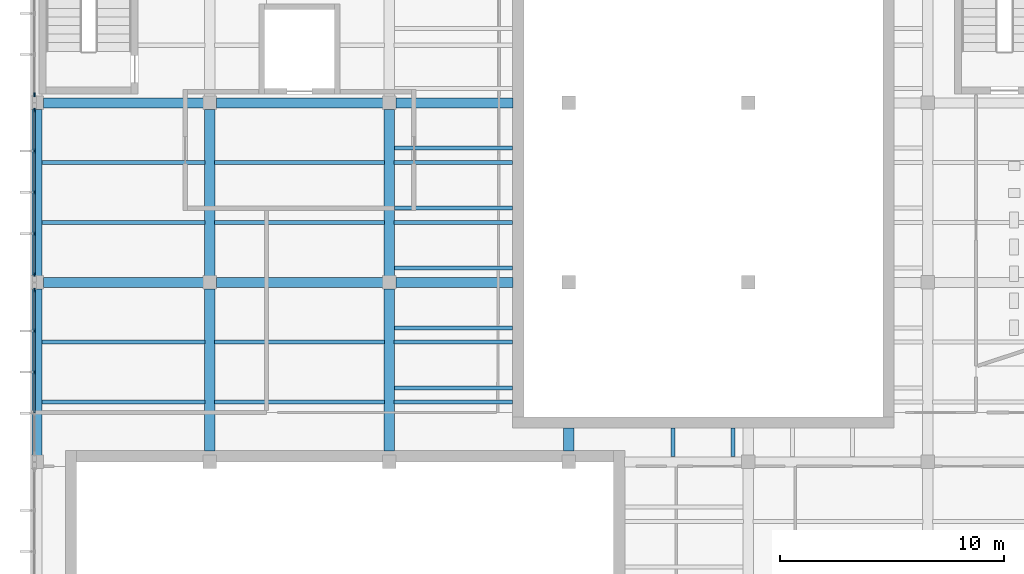
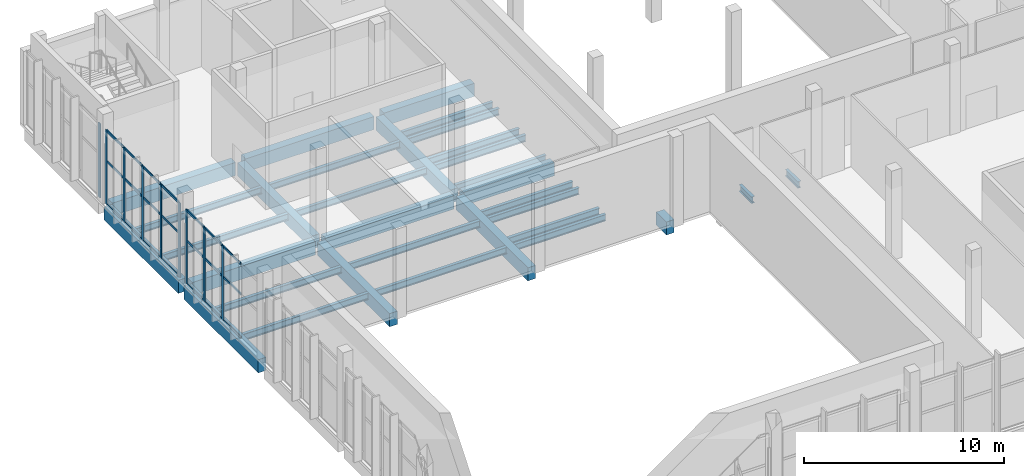
# One storey, part 13 of 87: 32 beams, 30 members, 3 elements without a shape of their own.
"""IFC4 building model written with IfcOpenShell, lengths in metres."""

from ifc_helpers import new_model, si_unit, direction, frame, origin, origin_2d, place, context, subcontext, project, spatial, rectangle, i_section, extrude, material, layer, layer_set, material_profile, profile_set, type_object, element, aggregate, save


model = new_model("IFC4")

# Units and contexts
model_context = context("Model", 3, precision=1e-05, world=origin(), true_north=direction((0.0, 1.0)))
body_context = subcontext(model_context, "Body", "Model", "MODEL_VIEW")
ifc_project = project(units=[si_unit("LENGTHUNIT", "METRE"), si_unit("AREAUNIT", "SQUARE_METRE"), si_unit("VOLUMEUNIT", "CUBIC_METRE"), si_unit("PLANEANGLEUNIT", "RADIAN"), si_unit("MASSUNIT", "GRAM", prefix="KILO")], contexts=[model_context])

# Site, building, storey
site_placement = place(None, origin())
site = spatial("IfcSite", under=ifc_project, at=site_placement, CompositionType="ELEMENT")
building_placement = place(site_placement, origin())
building = spatial("IfcBuilding", under=site, at=building_placement, Name="Lunette Opera House", CompositionType="ELEMENT")
storey_placement = place(building_placement, frame((0.0, 0.0, 11.5)))
storey = spatial("IfcBuildingStorey", under=building, at=storey_placement, Name="L02", CompositionType="ELEMENT", Elevation=11.5)

# Curtain wall, member
ifc_material_1 = material(Name="Aluminium", Category="aluminium")
ifc_layer = layer(ifc_material_1, 0.179931640625)
ifc_layer_set = layer_set([ifc_layer], Name="Aluminium")
curtain_wall_type = type_object("IfcCurtainWallType", Name="SUN FACE CURTAIN WALL", PredefinedType="NOTDEFINED", material=ifc_layer_set)
curtain_wall_1_placement = place(storey_placement, origin())
curtain_wall_1 = element("IfcCurtainWall", 1, at=curtain_wall_1_placement, inside=storey, type_object=curtain_wall_type, Name="Sun Face Curtain Wall F13 L02", PredefinedType="NOTDEFINED")
ifc_material_2 = material(Name="Aluminium", Category="aluminium")
ifc_material_profile_1 = material_profile(ifc_material_2, rectangle(XDim=0.06005859375, YDim=0.179931640625, at=origin_2d()), Name="MULLION 60 X 180")
ifc_profile_set_1 = profile_set([ifc_material_profile_1], Name="Aluminium")
member_type_1 = type_object("IfcMemberType", Name="MULLION 60 X 180", PredefinedType="MULLION", material=ifc_profile_set_1)
member_1_placement = place(storey_placement, frame((8.181884765625, 104.360107421875, 0.0), z_axis=(0.0, 0.0, 1.0), x_axis=(1.0, 0.0, 0.0)))
member_1 = element("IfcMember", 2, at=member_1_placement, type_object=member_type_1, Name="RW-X2029 mullion 5", PredefinedType="MULLION", context=body_context, shape_type="SweptSolid", body=[
    extrude(rectangle(XDim=0.06005859375, YDim=0.179931640625, at=origin_2d()), origin(), (0.0, 0.0, 1.0), 4.550048828125),
])
aggregate(curtain_wall_1, [member_1])

# Curtain wall, members
curtain_wall_2_placement = place(storey_placement, origin())
curtain_wall_2 = element("IfcCurtainWall", 3, at=curtain_wall_2_placement, inside=storey, type_object=curtain_wall_type, Name="Sun Face Curtain Wall F14 L02", PredefinedType="NOTDEFINED")
member_2_placement = place(storey_placement, frame((8.181884765625, 103.666015625, 0.0), z_axis=(0.0, 0.0, 1.0), x_axis=(1.0, 0.0, 0.0)))
member_2 = element("IfcMember", 4, at=member_2_placement, type_object=member_type_1, Name="RW-X2030 mullion 1", PredefinedType="MULLION", context=body_context, shape_type="SweptSolid", body=[
    extrude(rectangle(XDim=0.06005859375, YDim=0.179931640625, at=origin_2d()), origin(), (0.0, 0.0, 1.0), 4.550048828125),
])
member_3_placement = place(storey_placement, frame((8.181884765625, 101.8544921875, 0.0), z_axis=(0.0, 0.0, 1.0), x_axis=(1.0, 0.0, 0.0)))
member_3 = element("IfcMember", 5, at=member_3_placement, type_object=member_type_1, Name="RW-X2030 mullion 2", PredefinedType="MULLION", context=body_context, shape_type="SweptSolid", body=[
    extrude(rectangle(XDim=0.06005859375, YDim=0.179931640625, at=origin_2d()), origin(), (0.0, 0.0, 1.0), 4.550048828125),
])
member_4_placement = place(storey_placement, frame((8.181884765625, 100.012939453125, 0.0), z_axis=(0.0, 0.0, 1.0), x_axis=(1.0, 0.0, 0.0)))
member_4 = element("IfcMember", 6, at=member_4_placement, type_object=member_type_1, Name="RW-X2030 mullion 3", PredefinedType="MULLION", context=body_context, shape_type="SweptSolid", body=[
    extrude(rectangle(XDim=0.06005859375, YDim=0.179931640625, at=origin_2d()), origin(), (0.0, 0.0, 1.0), 4.550048828125),
])
member_5_placement = place(storey_placement, frame((8.181884765625, 98.17138671875, 0.0), z_axis=(0.0, 0.0, 1.0), x_axis=(1.0, 0.0, 0.0)))
member_5 = element("IfcMember", 7, at=member_5_placement, type_object=member_type_1, Name="RW-X2030 mullion 4", PredefinedType="MULLION", context=body_context, shape_type="SweptSolid", body=[
    extrude(rectangle(XDim=0.06005859375, YDim=0.179931640625, at=origin_2d()), origin(), (0.0, 0.0, 1.0), 4.550048828125),
])
member_6_placement = place(storey_placement, frame((8.181884765625, 96.360107421875, 0.0), z_axis=(0.0, 0.0, 1.0), x_axis=(1.0, 0.0, 0.0)))
member_6 = element("IfcMember", 8, at=member_6_placement, type_object=member_type_1, Name="RW-X2030 mullion 5", PredefinedType="MULLION", context=body_context, shape_type="SweptSolid", body=[
    extrude(rectangle(XDim=0.06005859375, YDim=0.179931640625, at=origin_2d()), origin(), (0.0, 0.0, 1.0), 4.550048828125),
])

curtain_wall_3_placement = place(storey_placement, origin())
curtain_wall_3 = element("IfcCurtainWall", 9, at=curtain_wall_3_placement, inside=storey, type_object=curtain_wall_type, Name="Sun Face Curtain Wall F15 L02", PredefinedType="NOTDEFINED")
member_7_placement = place(storey_placement, frame((8.181884765625, 95.639892578125, 0.0), z_axis=(0.0, 0.0, 1.0), x_axis=(1.0, 0.0, 0.0)))
member_7 = element("IfcMember", 10, at=member_7_placement, type_object=member_type_1, Name="RW-X2031 mullion 1", PredefinedType="MULLION", context=body_context, shape_type="SweptSolid", body=[
    extrude(rectangle(XDim=0.06005859375, YDim=0.179931640625, at=origin_2d()), origin(), (0.0, 0.0, 1.0), 4.550048828125),
])
member_8_placement = place(storey_placement, frame((8.181884765625, 93.8349609375, 0.0), z_axis=(0.0, 0.0, 1.0), x_axis=(1.0, 0.0, 0.0)))
member_8 = element("IfcMember", 11, at=member_8_placement, type_object=member_type_1, Name="RW-X2031 mullion 2", PredefinedType="MULLION", context=body_context, shape_type="SweptSolid", body=[
    extrude(rectangle(XDim=0.06005859375, YDim=0.179931640625, at=origin_2d()), origin(), (0.0, 0.0, 1.0), 4.550048828125),
])
member_9_placement = place(storey_placement, frame((8.181884765625, 92.0, 0.0), z_axis=(0.0, 0.0, 1.0), x_axis=(1.0, 0.0, 0.0)))
member_9 = element("IfcMember", 12, at=member_9_placement, type_object=member_type_1, Name="RW-X2031 mullion 3", PredefinedType="MULLION", context=body_context, shape_type="SweptSolid", body=[
    extrude(rectangle(XDim=0.06005859375, YDim=0.179931640625, at=origin_2d()), origin(), (0.0, 0.0, 1.0), 4.550048828125),
])

# Beams
ifc_material_3 = material(Name="Concrete C35/45", Category="concrete")
ifc_material_profile_2 = material_profile(ifc_material_3, rectangle(XDim=0.449951171875, YDim=0.800048828125, at=origin_2d()), Name="RC BEAM 450X800")
ifc_profile_set_2 = profile_set([ifc_material_profile_2], Name="Concrete C35/45")
beam_type_1 = type_object("IfcBeamType", Name="RC BEAM 450X800", PredefinedType="BEAM", material=ifc_profile_set_2)
for number, where, z_axis, x_axis, name in (
    (13, (8.300048828125, 88.2900390625, -0.550048828125), (0.0, 1.0, 0.0), (-1.0, 0.0, 0.0), "beam-RW-L02-L02-GY03"),
    (14, (8.300048828125, 96.2900390625, -0.550048828125), (0.0, 1.0, 0.0), (-1.0, 0.0, 0.0), "beam-RW-L02-L02-GY04"),
):
    element("IfcBeam", number, at=place(storey_placement, frame(where, z_axis=z_axis, x_axis=x_axis)), inside=storey, type_object=beam_type_1, Name=name, PredefinedType="BEAM", context=body_context, shape_type="SweptSolid", body=[
        extrude(rectangle(XDim=0.449951171875, YDim=0.800048828125, at=origin_2d()), origin(), (0.0, 0.0, 1.0), 7.419921875),
    ])
beam_1_placement = place(storey_placement, frame((16.0, 88.489990234375, -0.550048828125), z_axis=(0.0, 1.0, 0.0), x_axis=(-1.0, 0.0, 0.0)))
element("IfcBeam", 15, at=beam_1_placement, inside=storey, type_object=beam_type_1, Name="beam-RW-L02-L02-GY13", PredefinedType="BEAM", context=body_context, shape_type="SweptSolid", body=[
    extrude(rectangle(XDim=0.449951171875, YDim=0.800048828125, at=origin_2d()), origin(), (0.0, 0.0, 1.0), 7.219970703125),
])
beam_2_placement = place(storey_placement, frame((16.0, 96.2900390625, -0.550048828125), z_axis=(0.0, 1.0, 0.0), x_axis=(-1.0, 0.0, 0.0)))
element("IfcBeam", 16, at=beam_2_placement, inside=storey, type_object=beam_type_1, Name="beam-RW-L02-L02-GY14", PredefinedType="BEAM", context=body_context, shape_type="SweptSolid", body=[
    extrude(rectangle(XDim=0.449951171875, YDim=0.800048828125, at=origin_2d()), origin(), (0.0, 0.0, 1.0), 7.419921875),
])
beam_3_placement = place(storey_placement, frame((24.0, 88.489990234375, -0.550048828125), z_axis=(0.0, 1.0, 0.0), x_axis=(-1.0, 0.0, 0.0)))
element("IfcBeam", 17, at=beam_3_placement, inside=storey, type_object=beam_type_1, Name="beam-RW-L02-L02-GY23", PredefinedType="BEAM", context=body_context, shape_type="SweptSolid", body=[
    extrude(rectangle(XDim=0.449951171875, YDim=0.800048828125, at=origin_2d()), origin(), (0.0, 0.0, 1.0), 7.219970703125),
])
beam_4_placement = place(storey_placement, frame((24.0, 96.2900390625, -0.550048828125), z_axis=(0.0, 1.0, 0.0), x_axis=(-1.0, 0.0, 0.0)))
element("IfcBeam", 18, at=beam_4_placement, inside=storey, type_object=beam_type_1, Name="beam-RW-L02-L02-GY24", PredefinedType="BEAM", context=body_context, shape_type="SweptSolid", body=[
    extrude(rectangle(XDim=0.449951171875, YDim=0.800048828125, at=origin_2d()), origin(), (0.0, 0.0, 1.0), 7.419921875),
])
beam_5_placement = place(storey_placement, frame((32.0, 88.489990234375, -0.550048828125), z_axis=(0.0, 1.0, 0.0), x_axis=(-1.0, 0.0, 0.0)))
element("IfcBeam", 19, at=beam_5_placement, inside=storey, type_object=beam_type_1, Name="beam-RW-L02-L02-GY33", PredefinedType="BEAM", context=body_context, shape_type="SweptSolid", body=[
    extrude(rectangle(XDim=0.449951171875, YDim=0.800048828125, at=origin_2d()), origin(), (0.0, 0.0, 1.0), 1.02001953125),
])
beam_6_placement = place(storey_placement, frame((8.590087890625, 96.0, -0.550048828125), z_axis=(1.0, 0.0, 0.0), x_axis=(0.0, 1.0, 0.0)))
element("IfcBeam", 20, at=beam_6_placement, inside=storey, type_object=beam_type_1, Name="beam-RW-L02-L02-GX04", PredefinedType="BEAM", context=body_context, shape_type="SweptSolid", body=[
    extrude(rectangle(XDim=0.449951171875, YDim=0.800048828125, at=origin_2d()), origin(), (0.0, 0.0, 1.0), 7.119873046875),
])
beam_7_placement = place(storey_placement, frame((16.2900390625, 96.0, -0.550048828125), z_axis=(1.0, 0.0, 0.0), x_axis=(0.0, 1.0, 0.0)))
element("IfcBeam", 21, at=beam_7_placement, inside=storey, type_object=beam_type_1, Name="beam-RW-L02-L02-GX14", PredefinedType="BEAM", context=body_context, shape_type="SweptSolid", body=[
    extrude(rectangle(XDim=0.449951171875, YDim=0.800048828125, at=origin_2d()), origin(), (0.0, 0.0, 1.0), 7.419921875),
])
beam_8_placement = place(storey_placement, frame((24.2900390625, 96.0, -0.550048828125), z_axis=(1.0, 0.0, 0.0), x_axis=(0.0, 1.0, 0.0)))
element("IfcBeam", 22, at=beam_8_placement, inside=storey, type_object=beam_type_1, Name="beam-RW-L02-L02-GX24", PredefinedType="BEAM", context=body_context, shape_type="SweptSolid", body=[
    extrude(rectangle(XDim=0.449951171875, YDim=0.800048828125, at=origin_2d()), origin(), (0.0, 0.0, 1.0), 5.219970703125),
])
beam_9_placement = place(storey_placement, frame((8.590087890625, 104.0, -0.550048828125), z_axis=(1.0, 0.0, 0.0), x_axis=(0.0, 1.0, 0.0)))
element("IfcBeam", 23, at=beam_9_placement, inside=storey, type_object=beam_type_1, Name="beam-RW-L02-L02-GX05", PredefinedType="BEAM", context=body_context, shape_type="SweptSolid", body=[
    extrude(rectangle(XDim=0.449951171875, YDim=0.800048828125, at=origin_2d()), origin(), (0.0, 0.0, 1.0), 7.119873046875),
])
beam_10_placement = place(storey_placement, frame((16.2900390625, 104.0, -0.550048828125), z_axis=(1.0, 0.0, 0.0), x_axis=(0.0, 1.0, 0.0)))
element("IfcBeam", 24, at=beam_10_placement, inside=storey, type_object=beam_type_1, Name="beam-RW-L02-L02-GX15", PredefinedType="BEAM", context=body_context, shape_type="SweptSolid", body=[
    extrude(rectangle(XDim=0.449951171875, YDim=0.800048828125, at=origin_2d()), origin(), (0.0, 0.0, 1.0), 7.419921875),
])
beam_11_placement = place(storey_placement, frame((24.2900390625, 104.0, -0.550048828125), z_axis=(1.0, 0.0, 0.0), x_axis=(0.0, 1.0, 0.0)))
element("IfcBeam", 25, at=beam_11_placement, inside=storey, type_object=beam_type_1, Name="beam-RW-L02-L02-GX25", PredefinedType="BEAM", context=body_context, shape_type="SweptSolid", body=[
    extrude(rectangle(XDim=0.449951171875, YDim=0.800048828125, at=origin_2d()), origin(), (0.0, 0.0, 1.0), 5.219970703125),
])
ifc_material_4 = material(Name="Steel S355", Category="steel")
ifc_material_profile_3 = material_profile(ifc_material_4, i_section(OverallWidth=0.179931640625, OverallDepth=0.39990234375, WebThickness=0.008544921875, FlangeThickness=0.013427734375, FilletRadius=0.02099609375, at=origin_2d()), Name="IPE 400")
ifc_profile_set_3 = profile_set([ifc_material_profile_3], Name="Steel S355")
beam_type_2 = type_object("IfcBeamType", Name="STEEL BEAM IPE 400", PredefinedType="BEAM", material=ifc_profile_set_3)
for number, where, z_axis, x_axis, name in (
    (26, (8.514892578125, 90.6669921875, -0.35009765625), (1.0, 0.0, 0.0), (0.0, 1.0, 0.0), "beam-RW-L02-L02-SX031"),
    (27, (8.514892578125, 93.3330078125, -0.35009765625), (1.0, 0.0, 0.0), (0.0, 1.0, 0.0), "beam-RW-L02-L02-SX032"),
    (28, (8.514892578125, 98.6669921875, -0.35009765625), (1.0, 0.0, 0.0), (0.0, 1.0, 0.0), "beam-RW-L02-L02-SX041"),
    (29, (8.514892578125, 101.3330078125, -0.35009765625), (1.0, 0.0, 0.0), (0.0, 1.0, 0.0), "beam-RW-L02-L02-SX042"),
):
    element("IfcBeam", number, at=place(storey_placement, frame(where, z_axis=z_axis, x_axis=x_axis)), inside=storey, type_object=beam_type_2, Name=name, PredefinedType="BEAM", context=body_context, shape_type="SweptSolid", body=[
        extrude(i_section(OverallWidth=0.179931640625, OverallDepth=0.39990234375, WebThickness=0.008544921875, FlangeThickness=0.013427734375, FilletRadius=0.02099609375, at=origin_2d()), origin(), (0.0, 0.0, 1.0), 7.27001953125),
    ])
for number, where, z_axis, x_axis, name in (
    (30, (16.215087890625, 90.6669921875, -0.35009765625), (1.0, 0.0, 0.0), (0.0, 1.0, 0.0), "beam-RW-L02-L02-SX131"),
    (31, (16.215087890625, 93.3330078125, -0.35009765625), (1.0, 0.0, 0.0), (0.0, 1.0, 0.0), "beam-RW-L02-L02-SX132"),
    (32, (16.215087890625, 98.6669921875, -0.35009765625), (1.0, 0.0, 0.0), (0.0, 1.0, 0.0), "beam-RW-L02-L02-SX141"),
    (33, (16.215087890625, 101.3330078125, -0.35009765625), (1.0, 0.0, 0.0), (0.0, 1.0, 0.0), "beam-RW-L02-L02-SX142"),
):
    element("IfcBeam", number, at=place(storey_placement, frame(where, z_axis=z_axis, x_axis=x_axis)), inside=storey, type_object=beam_type_2, Name=name, PredefinedType="BEAM", context=body_context, shape_type="SweptSolid", body=[
        extrude(i_section(OverallWidth=0.179931640625, OverallDepth=0.39990234375, WebThickness=0.008544921875, FlangeThickness=0.013427734375, FilletRadius=0.02099609375, at=origin_2d()), origin(), (0.0, 0.0, 1.0), 7.56982421875),
    ])
for number, where, z_axis, x_axis, name in (
    (34, (24.215087890625, 90.6669921875, -0.35009765625), (1.0, 0.0, 0.0), (0.0, 1.0, 0.0), "beam-RW-L02-L02-SX231"),
    (35, (24.215087890625, 93.3330078125, -0.35009765625), (1.0, 0.0, 0.0), (0.0, 1.0, 0.0), "beam-RW-L02-L02-SX232"),
    (36, (24.215087890625, 98.6669921875, -0.35009765625), (1.0, 0.0, 0.0), (0.0, 1.0, 0.0), "beam-RW-L02-L02-SX241"),
    (37, (24.215087890625, 101.3330078125, -0.35009765625), (1.0, 0.0, 0.0), (0.0, 1.0, 0.0), "beam-RW-L02-L02-SX242"),
):
    element("IfcBeam", number, at=place(storey_placement, frame(where, z_axis=z_axis, x_axis=x_axis)), inside=storey, type_object=beam_type_2, Name=name, PredefinedType="BEAM", context=body_context, shape_type="SweptSolid", body=[
        extrude(i_section(OverallWidth=0.179931640625, OverallDepth=0.39990234375, WebThickness=0.008544921875, FlangeThickness=0.013427734375, FilletRadius=0.02099609375, at=origin_2d()), origin(), (0.0, 0.0, 1.0), 5.284912109375),
    ])
for number, where, z_axis, x_axis, name in (
    (38, (36.639892578125, 89.5, -0.35009765625), (0.0, -1.0, 0.0), (1.0, 0.0, 0.0), "beam-RW-L02-L02-RJS30902"),
    (39, (39.31005859375, 89.5, -0.35009765625), (0.0, -1.0, 0.0), (1.0, 0.0, 0.0), "beam-RW-L02-L02-RJS30903"),
):
    element("IfcBeam", number, at=place(storey_placement, frame(where, z_axis=z_axis, x_axis=x_axis)), inside=storey, type_object=beam_type_2, Name=name, PredefinedType="BEAM", context=body_context, shape_type="SweptSolid", body=[
        extrude(i_section(OverallWidth=0.179931640625, OverallDepth=0.39990234375, WebThickness=0.008544921875, FlangeThickness=0.013427734375, FilletRadius=0.02099609375, at=origin_2d()), origin(), (0.0, 0.0, 1.0), 1.264892578125),
    ])
for number, where, z_axis, x_axis, name in (
    (40, (29.5, 91.300048828125, -0.35009765625), (-1.0, 0.0, 0.0), (0.0, -1.0, 0.0), "beam-RW-L02-L02-RJW30900"),
    (41, (29.5, 93.969970703125, -0.35009765625), (-1.0, 0.0, 0.0), (0.0, -1.0, 0.0), "beam-RW-L02-L02-RJW30901"),
    (42, (29.5, 96.639892578125, -0.35009765625), (-1.0, 0.0, 0.0), (0.0, -1.0, 0.0), "beam-RW-L02-L02-RJW30902"),
    (43, (29.5, 99.31005859375, -0.35009765625), (-1.0, 0.0, 0.0), (0.0, -1.0, 0.0), "beam-RW-L02-L02-RJW30903"),
    (44, (29.5, 101.97998046875, -0.35009765625), (-1.0, 0.0, 0.0), (0.0, -1.0, 0.0), "beam-RW-L02-L02-RJW30904"),
):
    element("IfcBeam", number, at=place(storey_placement, frame(where, z_axis=z_axis, x_axis=x_axis)), inside=storey, type_object=beam_type_2, Name=name, PredefinedType="BEAM", context=body_context, shape_type="SweptSolid", body=[
        extrude(i_section(OverallWidth=0.179931640625, OverallDepth=0.39990234375, WebThickness=0.008544921875, FlangeThickness=0.013427734375, FilletRadius=0.02099609375, at=origin_2d()), origin(), (0.0, 0.0, 1.0), 5.264892578125),
    ])

# Member
ifc_material_5 = material(Name="Aluminium", Category="aluminium")
ifc_material_profile_4 = material_profile(ifc_material_5, rectangle(XDim=0.06005859375, YDim=0.139892578125, at=origin_2d()), Name="TRANSOM 60 X 140")
ifc_profile_set_4 = profile_set([ifc_material_profile_4], Name="Aluminium")
member_type_2 = type_object("IfcMemberType", Name="TRANSOM 60 X 140", PredefinedType="USERDEFINED", material=ifc_profile_set_4)
member_10_placement = place(storey_placement, frame((8.181884765625, 103.635986328125, 0.030029296875), z_axis=(0.0, -1.0, 0.0), x_axis=(1.0, 0.0, 0.0)))
member_10 = element("IfcMember", 45, at=member_10_placement, type_object=member_type_2, Name="RW-X2030 transom 1.1", ObjectType="TRANSOM", PredefinedType="USERDEFINED", context=body_context, shape_type="SweptSolid", body=[
    extrude(rectangle(XDim=0.06005859375, YDim=0.139892578125, at=origin_2d()), origin(), (0.0, 0.0, 1.0), 1.75146484375),
])

member_11_placement = place(storey_placement, frame((8.181884765625, 103.635986328125, 2.675048828125), z_axis=(0.0, -1.0, 0.0), x_axis=(1.0, 0.0, 0.0)))
member_11 = element("IfcMember", 46, at=member_11_placement, type_object=member_type_2, Name="RW-X2030 transom 1.2", ObjectType="TRANSOM", PredefinedType="USERDEFINED", context=body_context, shape_type="SweptSolid", body=[
    extrude(rectangle(XDim=0.06005859375, YDim=0.139892578125, at=origin_2d()), origin(), (0.0, 0.0, 1.0), 1.75146484375),
])

member_12_placement = place(storey_placement, frame((8.181884765625, 103.635986328125, 4.52001953125), z_axis=(0.0, -1.0, 0.0), x_axis=(1.0, 0.0, 0.0)))
member_12 = element("IfcMember", 47, at=member_12_placement, type_object=member_type_2, Name="RW-X2030 transom 1.3", ObjectType="TRANSOM", PredefinedType="USERDEFINED", context=body_context, shape_type="SweptSolid", body=[
    extrude(rectangle(XDim=0.06005859375, YDim=0.139892578125, at=origin_2d()), origin(), (0.0, 0.0, 1.0), 1.75146484375),
])

member_13_placement = place(storey_placement, frame((8.181884765625, 101.824462890625, 0.030029296875), z_axis=(0.0, -1.0, 0.0), x_axis=(1.0, 0.0, 0.0)))
member_13 = element("IfcMember", 48, at=member_13_placement, type_object=member_type_2, Name="RW-X2030 transom 2.1", ObjectType="TRANSOM", PredefinedType="USERDEFINED", context=body_context, shape_type="SweptSolid", body=[
    extrude(rectangle(XDim=0.06005859375, YDim=0.139892578125, at=origin_2d()), origin(), (0.0, 0.0, 1.0), 1.781494140625),
])

member_14_placement = place(storey_placement, frame((8.181884765625, 101.824462890625, 2.675048828125), z_axis=(0.0, -1.0, 0.0), x_axis=(1.0, 0.0, 0.0)))
member_14 = element("IfcMember", 49, at=member_14_placement, type_object=member_type_2, Name="RW-X2030 transom 2.2", ObjectType="TRANSOM", PredefinedType="USERDEFINED", context=body_context, shape_type="SweptSolid", body=[
    extrude(rectangle(XDim=0.06005859375, YDim=0.139892578125, at=origin_2d()), origin(), (0.0, 0.0, 1.0), 1.781494140625),
])

member_15_placement = place(storey_placement, frame((8.181884765625, 101.824462890625, 4.52001953125), z_axis=(0.0, -1.0, 0.0), x_axis=(1.0, 0.0, 0.0)))
member_15 = element("IfcMember", 50, at=member_15_placement, type_object=member_type_2, Name="RW-X2030 transom 2.3", ObjectType="TRANSOM", PredefinedType="USERDEFINED", context=body_context, shape_type="SweptSolid", body=[
    extrude(rectangle(XDim=0.06005859375, YDim=0.139892578125, at=origin_2d()), origin(), (0.0, 0.0, 1.0), 1.781494140625),
])

member_16_placement = place(storey_placement, frame((8.181884765625, 99.98291015625, 0.030029296875), z_axis=(0.0, -1.0, 0.0), x_axis=(1.0, 0.0, 0.0)))
member_16 = element("IfcMember", 51, at=member_16_placement, type_object=member_type_2, Name="RW-X2030 transom 3.1", ObjectType="TRANSOM", PredefinedType="USERDEFINED", context=body_context, shape_type="SweptSolid", body=[
    extrude(rectangle(XDim=0.06005859375, YDim=0.139892578125, at=origin_2d()), origin(), (0.0, 0.0, 1.0), 1.781494140625),
])

member_17_placement = place(storey_placement, frame((8.181884765625, 99.98291015625, 2.675048828125), z_axis=(0.0, -1.0, 0.0), x_axis=(1.0, 0.0, 0.0)))
member_17 = element("IfcMember", 52, at=member_17_placement, type_object=member_type_2, Name="RW-X2030 transom 3.2", ObjectType="TRANSOM", PredefinedType="USERDEFINED", context=body_context, shape_type="SweptSolid", body=[
    extrude(rectangle(XDim=0.06005859375, YDim=0.139892578125, at=origin_2d()), origin(), (0.0, 0.0, 1.0), 1.781494140625),
])

member_18_placement = place(storey_placement, frame((8.181884765625, 99.98291015625, 4.52001953125), z_axis=(0.0, -1.0, 0.0), x_axis=(1.0, 0.0, 0.0)))
member_18 = element("IfcMember", 53, at=member_18_placement, type_object=member_type_2, Name="RW-X2030 transom 3.3", ObjectType="TRANSOM", PredefinedType="USERDEFINED", context=body_context, shape_type="SweptSolid", body=[
    extrude(rectangle(XDim=0.06005859375, YDim=0.139892578125, at=origin_2d()), origin(), (0.0, 0.0, 1.0), 1.781494140625),
])

member_19_placement = place(storey_placement, frame((8.181884765625, 98.1416015625, 0.030029296875), z_axis=(0.0, -1.0, 0.0), x_axis=(1.0, 0.0, 0.0)))
member_19 = element("IfcMember", 54, at=member_19_placement, type_object=member_type_2, Name="RW-X2030 transom 4.1", ObjectType="TRANSOM", PredefinedType="USERDEFINED", context=body_context, shape_type="SweptSolid", body=[
    extrude(rectangle(XDim=0.06005859375, YDim=0.139892578125, at=origin_2d()), origin(), (0.0, 0.0, 1.0), 1.751708984375),
])

member_20_placement = place(storey_placement, frame((8.181884765625, 98.1416015625, 2.675048828125), z_axis=(0.0, -1.0, 0.0), x_axis=(1.0, 0.0, 0.0)))
member_20 = element("IfcMember", 55, at=member_20_placement, type_object=member_type_2, Name="RW-X2030 transom 4.2", ObjectType="TRANSOM", PredefinedType="USERDEFINED", context=body_context, shape_type="SweptSolid", body=[
    extrude(rectangle(XDim=0.06005859375, YDim=0.139892578125, at=origin_2d()), origin(), (0.0, 0.0, 1.0), 1.751708984375),
])

member_21_placement = place(storey_placement, frame((8.181884765625, 98.1416015625, 4.52001953125), z_axis=(0.0, -1.0, 0.0), x_axis=(1.0, 0.0, 0.0)))
member_21 = element("IfcMember", 56, at=member_21_placement, type_object=member_type_2, Name="RW-X2030 transom 4.3", ObjectType="TRANSOM", PredefinedType="USERDEFINED", context=body_context, shape_type="SweptSolid", body=[
    extrude(rectangle(XDim=0.06005859375, YDim=0.139892578125, at=origin_2d()), origin(), (0.0, 0.0, 1.0), 1.751708984375),
])

aggregate(curtain_wall_2, [member_2, member_3, member_4, member_5, member_6, member_10, member_11, member_12, member_13, member_14, member_15, member_16, member_17, member_18, member_19, member_20, member_21])

member_22_placement = place(storey_placement, frame((8.181884765625, 95.610107421875, 0.030029296875), z_axis=(0.0, -1.0, 0.0), x_axis=(1.0, 0.0, 0.0)))
member_22 = element("IfcMember", 57, at=member_22_placement, type_object=member_type_2, Name="RW-X2031 transom 1.1", ObjectType="TRANSOM", PredefinedType="USERDEFINED", context=body_context, shape_type="SweptSolid", body=[
    extrude(rectangle(XDim=0.06005859375, YDim=0.139892578125, at=origin_2d()), origin(), (0.0, 0.0, 1.0), 1.7451171875),
])

member_23_placement = place(storey_placement, frame((8.181884765625, 95.610107421875, 2.675048828125), z_axis=(0.0, -1.0, 0.0), x_axis=(1.0, 0.0, 0.0)))
member_23 = element("IfcMember", 58, at=member_23_placement, type_object=member_type_2, Name="RW-X2031 transom 1.2", ObjectType="TRANSOM", PredefinedType="USERDEFINED", context=body_context, shape_type="SweptSolid", body=[
    extrude(rectangle(XDim=0.06005859375, YDim=0.139892578125, at=origin_2d()), origin(), (0.0, 0.0, 1.0), 1.7451171875),
])

member_24_placement = place(storey_placement, frame((8.181884765625, 95.610107421875, 4.52001953125), z_axis=(0.0, -1.0, 0.0), x_axis=(1.0, 0.0, 0.0)))
member_24 = element("IfcMember", 59, at=member_24_placement, type_object=member_type_2, Name="RW-X2031 transom 1.3", ObjectType="TRANSOM", PredefinedType="USERDEFINED", context=body_context, shape_type="SweptSolid", body=[
    extrude(rectangle(XDim=0.06005859375, YDim=0.139892578125, at=origin_2d()), origin(), (0.0, 0.0, 1.0), 1.7451171875),
])

member_25_placement = place(storey_placement, frame((8.181884765625, 93.804931640625, 0.030029296875), z_axis=(0.0, -1.0, 0.0), x_axis=(1.0, 0.0, 0.0)))
member_25 = element("IfcMember", 60, at=member_25_placement, type_object=member_type_2, Name="RW-X2031 transom 2.1", ObjectType="TRANSOM", PredefinedType="USERDEFINED", context=body_context, shape_type="SweptSolid", body=[
    extrude(rectangle(XDim=0.06005859375, YDim=0.139892578125, at=origin_2d()), origin(), (0.0, 0.0, 1.0), 1.77490234375),
])

member_26_placement = place(storey_placement, frame((8.181884765625, 93.804931640625, 2.675048828125), z_axis=(0.0, -1.0, 0.0), x_axis=(1.0, 0.0, 0.0)))
member_26 = element("IfcMember", 61, at=member_26_placement, type_object=member_type_2, Name="RW-X2031 transom 2.2", ObjectType="TRANSOM", PredefinedType="USERDEFINED", context=body_context, shape_type="SweptSolid", body=[
    extrude(rectangle(XDim=0.06005859375, YDim=0.139892578125, at=origin_2d()), origin(), (0.0, 0.0, 1.0), 1.77490234375),
])

member_27_placement = place(storey_placement, frame((8.181884765625, 93.804931640625, 4.52001953125), z_axis=(0.0, -1.0, 0.0), x_axis=(1.0, 0.0, 0.0)))
member_27 = element("IfcMember", 62, at=member_27_placement, type_object=member_type_2, Name="RW-X2031 transom 2.3", ObjectType="TRANSOM", PredefinedType="USERDEFINED", context=body_context, shape_type="SweptSolid", body=[
    extrude(rectangle(XDim=0.06005859375, YDim=0.139892578125, at=origin_2d()), origin(), (0.0, 0.0, 1.0), 1.77490234375),
])

member_28_placement = place(storey_placement, frame((8.181884765625, 91.969970703125, 0.030029296875), z_axis=(0.0, -1.0, 0.0), x_axis=(1.0, 0.0, 0.0)))
member_28 = element("IfcMember", 63, at=member_28_placement, type_object=member_type_2, Name="RW-X2031 transom 3.1", ObjectType="TRANSOM", PredefinedType="USERDEFINED", context=body_context, shape_type="SweptSolid", body=[
    extrude(rectangle(XDim=0.06005859375, YDim=0.139892578125, at=origin_2d()), origin(), (0.0, 0.0, 1.0), 1.77490234375),
])

member_29_placement = place(storey_placement, frame((8.181884765625, 91.969970703125, 2.675048828125), z_axis=(0.0, -1.0, 0.0), x_axis=(1.0, 0.0, 0.0)))
member_29 = element("IfcMember", 64, at=member_29_placement, type_object=member_type_2, Name="RW-X2031 transom 3.2", ObjectType="TRANSOM", PredefinedType="USERDEFINED", context=body_context, shape_type="SweptSolid", body=[
    extrude(rectangle(XDim=0.06005859375, YDim=0.139892578125, at=origin_2d()), origin(), (0.0, 0.0, 1.0), 1.77490234375),
])

member_30_placement = place(storey_placement, frame((8.181884765625, 91.969970703125, 4.52001953125), z_axis=(0.0, -1.0, 0.0), x_axis=(1.0, 0.0, 0.0)))
member_30 = element("IfcMember", 65, at=member_30_placement, type_object=member_type_2, Name="RW-X2031 transom 3.3", ObjectType="TRANSOM", PredefinedType="USERDEFINED", context=body_context, shape_type="SweptSolid", body=[
    extrude(rectangle(XDim=0.06005859375, YDim=0.139892578125, at=origin_2d()), origin(), (0.0, 0.0, 1.0), 1.77490234375),
])

aggregate(curtain_wall_3, [member_7, member_8, member_9, member_22, member_23, member_24, member_25, member_26, member_27, member_28, member_29, member_30])

save(model, "model.ifc")
